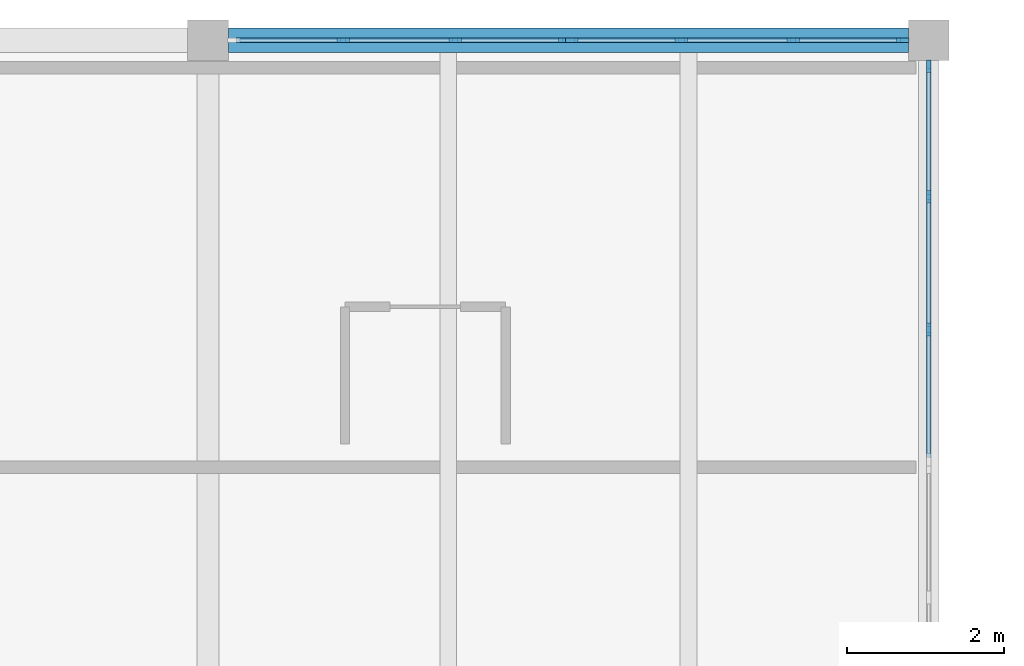
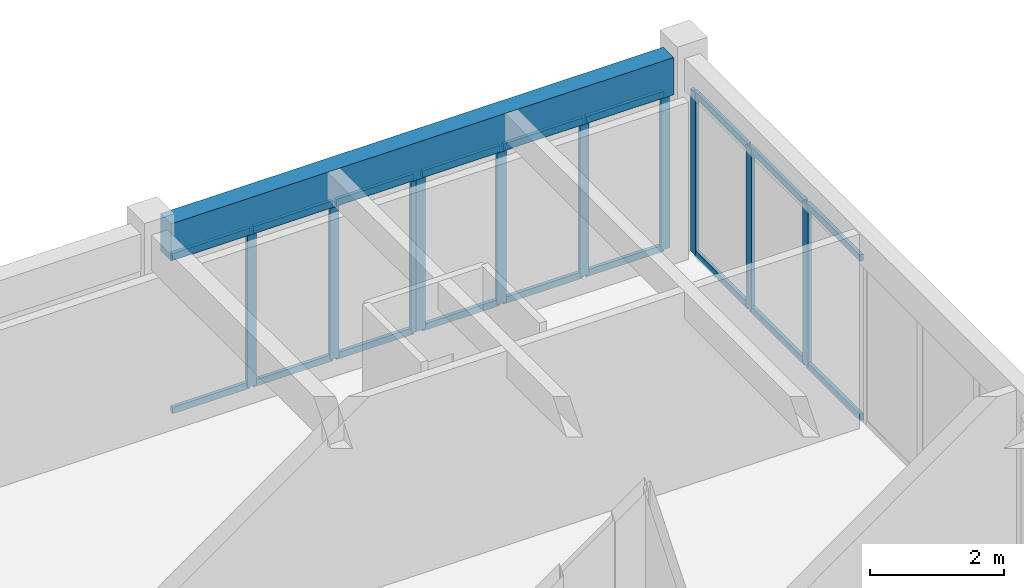
# One storey, part 5 of 22: 28 members, 1 beam, 3 elements without a shape of their own.
"""IFC4 building model written with IfcOpenShell, lengths in metres."""

from ifc_helpers import new_model, si_unit, direction, frame, origin, origin_2d, place, context, subcontext, project, spatial, rectangle, extrude, material, material_profile, profile_set, type_object, element, aggregate, save


model = new_model("IFC4")

# Units and contexts
model_context = context("Model", 3, precision=1e-05, world=origin(), true_north=direction((0.0, 1.0)))
body_context = subcontext(model_context, "Body", "Model", "MODEL_VIEW")
ifc_project = project(units=[si_unit("LENGTHUNIT", "METRE"), si_unit("AREAUNIT", "SQUARE_METRE"), si_unit("VOLUMEUNIT", "CUBIC_METRE"), si_unit("PLANEANGLEUNIT", "RADIAN"), si_unit("MASSUNIT", "GRAM", prefix="KILO")], contexts=[model_context])

# Site, building, storey
site_placement = place(None, origin())
site = spatial("IfcSite", under=ifc_project, at=site_placement, CompositionType="ELEMENT")
building_placement = place(site_placement, origin())
building = spatial("IfcBuilding", under=site, at=building_placement, Name="Veldera Park Congress Hotel", CompositionType="ELEMENT")
storey_placement = place(building_placement, frame((0.0, 0.0, 23.800048828125)))
storey = spatial("IfcBuildingStorey", under=building, at=storey_placement, Name="L05", CompositionType="ELEMENT", Elevation=23.800048828125)

# Beam
ifc_material_1 = material(Name="Glulam GL28h (NDS 24F-V4)", Category="wood")
ifc_material_profile_1 = material_profile(ifc_material_1, rectangle(XDim=0.31494140625, YDim=0.679931640625, at=origin_2d()), Name="GL28h 315x680")
ifc_profile_set_1 = profile_set([ifc_material_profile_1], Name="Glulam GL28h (NDS 24F-V4)")
beam_type = type_object("IfcBeamType", Name="BM-GL640E", PredefinedType="BEAM", material=ifc_profile_set_1)
beam_placement = place(storey_placement, frame((75.06005859375, 58.0, 3.2099609375), z_axis=(1.0, 0.0, 0.0), x_axis=(0.0, 1.0, 0.0)))
element("IfcBeam", 1, at=beam_placement, inside=storey, type_object=beam_type, Name="L05 Girder BM-GL640E 1430", PredefinedType="BEAM", context=body_context, shape_type="SweptSolid", body=[
    extrude(rectangle(XDim=0.31494140625, YDim=0.679931640625, at=origin_2d()), origin(), (0.0, 0.0, 1.0), 8.679931640625),
])

# Curtain wall, members
ifc_material_2 = material(Name="Low-E Triple Insulating Glass Unit (SHGC 0.22)", Category="glass")
curtain_wall_type = type_object("IfcCurtainWallType", Name="CW-HTL", PredefinedType="NOTDEFINED", material=ifc_material_2)
curtain_wall_1_placement = place(storey_placement, origin())
curtain_wall_1 = element("IfcCurtainWall", 2, at=curtain_wall_1_placement, inside=storey, type_object=curtain_wall_type, Name="L05 Curtain Wall CW3-HTLNE-L05-105", PredefinedType="NOTDEFINED")
ifc_material_3 = material(Name="Anodised Aluminium Alloy 6063-T6", Category="aluminium")
ifc_material_profile_2 = material_profile(ifc_material_3, rectangle(XDim=0.06005859375, YDim=0.159912109375, at=origin_2d()), Name="ALU 60x160")
ifc_profile_set_2 = profile_set([ifc_material_profile_2], Name="Anodised Aluminium Alloy 6063-T6")
member_type_1 = type_object("IfcMemberType", Name="CWM-160", PredefinedType="MULLION", material=ifc_profile_set_2)
member_1_placement = place(storey_placement, frame((84.0, 54.31005859375, 0.0), z_axis=(0.0, 0.0, 1.0), x_axis=(-1.0, 0.0, 0.0)))
member_1 = element("IfcMember", 3, at=member_1_placement, type_object=member_type_1, Name="CW-HTL mullion 2", PredefinedType="MULLION", context=body_context, shape_type="SweptSolid", body=[
    extrude(rectangle(XDim=0.06005859375, YDim=0.159912109375, at=origin_2d()), origin(), (0.0, 0.0, 1.0), 2.96484375),
])
member_2_placement = place(storey_placement, frame((84.0, 56.0048828125, 0.0), z_axis=(0.0, 0.0, 1.0), x_axis=(-1.0, 0.0, 0.0)))
member_2 = element("IfcMember", 4, at=member_2_placement, type_object=member_type_1, Name="CW-HTL mullion 3", PredefinedType="MULLION", context=body_context, shape_type="SweptSolid", body=[
    extrude(rectangle(XDim=0.06005859375, YDim=0.159912109375, at=origin_2d()), origin(), (0.0, 0.0, 1.0), 2.96484375),
])
member_3_placement = place(storey_placement, frame((84.0, 57.669921875, 0.0), z_axis=(0.0, 0.0, 1.0), x_axis=(-1.0, 0.0, 0.0)))
member_3 = element("IfcMember", 5, at=member_3_placement, type_object=member_type_1, Name="CW-HTL mullion 4", PredefinedType="MULLION", context=body_context, shape_type="SweptSolid", body=[
    extrude(rectangle(XDim=0.06005859375, YDim=0.159912109375, at=origin_2d()), origin(), (0.0, 0.0, 1.0), 2.96484375),
])

curtain_wall_2_placement = place(storey_placement, origin())
curtain_wall_2 = element("IfcCurtainWall", 6, at=curtain_wall_2_placement, inside=storey, type_object=curtain_wall_type, Name="L05 Curtain Wall CW3-HTLNN-L05-106", PredefinedType="NOTDEFINED")
member_4_placement = place(storey_placement, frame((83.669921875, 58.0, 0.0), z_axis=(0.0, 0.0, 1.0), x_axis=(0.0, -1.0, 0.0)))
member_4 = element("IfcMember", 7, at=member_4_placement, type_object=member_type_1, Name="CW-HTL mullion 1", PredefinedType="MULLION", context=body_context, shape_type="SweptSolid", body=[
    extrude(rectangle(XDim=0.06005859375, YDim=0.159912109375, at=origin_2d()), origin(), (0.0, 0.0, 1.0), 2.864990234375),
])
member_5_placement = place(storey_placement, frame((82.271728515625, 58.0, 0.0), z_axis=(0.0, 0.0, 1.0), x_axis=(0.0, -1.0, 0.0)))
member_5 = element("IfcMember", 8, at=member_5_placement, type_object=member_type_1, Name="CW-HTL mullion 2", PredefinedType="MULLION", context=body_context, shape_type="SweptSolid", body=[
    extrude(rectangle(XDim=0.06005859375, YDim=0.159912109375, at=origin_2d()), origin(), (0.0, 0.0, 1.0), 2.864990234375),
])
member_6_placement = place(storey_placement, frame((80.84326171875, 58.0, 0.0), z_axis=(0.0, 0.0, 1.0), x_axis=(0.0, -1.0, 0.0)))
member_6 = element("IfcMember", 9, at=member_6_placement, type_object=member_type_1, Name="CW-HTL mullion 3", PredefinedType="MULLION", context=body_context, shape_type="SweptSolid", body=[
    extrude(rectangle(XDim=0.06005859375, YDim=0.159912109375, at=origin_2d()), origin(), (0.0, 0.0, 1.0), 2.864990234375),
])
member_7_placement = place(storey_placement, frame((79.445068359375, 58.0, 0.0), z_axis=(0.0, 0.0, 1.0), x_axis=(0.0, -1.0, 0.0)))
member_7 = element("IfcMember", 10, at=member_7_placement, type_object=member_type_1, Name="CW-HTL mullion 4", PredefinedType="MULLION", context=body_context, shape_type="SweptSolid", body=[
    extrude(rectangle(XDim=0.06005859375, YDim=0.159912109375, at=origin_2d()), origin(), (0.0, 0.0, 1.0), 2.864990234375),
])

curtain_wall_3_placement = place(storey_placement, origin())
curtain_wall_3 = element("IfcCurtainWall", 11, at=curtain_wall_3_placement, inside=storey, type_object=curtain_wall_type, Name="L05 Curtain Wall CW3-HTLNN-L05-107", PredefinedType="NOTDEFINED")
member_8_placement = place(storey_placement, frame((79.35498046875, 58.0, 0.0), z_axis=(0.0, 0.0, 1.0), x_axis=(0.0, -1.0, 0.0)))
member_8 = element("IfcMember", 12, at=member_8_placement, type_object=member_type_1, Name="CW-HTL mullion 1", PredefinedType="MULLION", context=body_context, shape_type="SweptSolid", body=[
    extrude(rectangle(XDim=0.06005859375, YDim=0.159912109375, at=origin_2d()), origin(), (0.0, 0.0, 1.0), 2.864990234375),
])
member_9_placement = place(storey_placement, frame((77.956787109375, 58.0, 0.0), z_axis=(0.0, 0.0, 1.0), x_axis=(0.0, -1.0, 0.0)))
member_9 = element("IfcMember", 13, at=member_9_placement, type_object=member_type_1, Name="CW-HTL mullion 2", PredefinedType="MULLION", context=body_context, shape_type="SweptSolid", body=[
    extrude(rectangle(XDim=0.06005859375, YDim=0.159912109375, at=origin_2d()), origin(), (0.0, 0.0, 1.0), 2.864990234375),
])
member_10_placement = place(storey_placement, frame((76.5283203125, 58.0, 0.0), z_axis=(0.0, 0.0, 1.0), x_axis=(0.0, -1.0, 0.0)))
member_10 = element("IfcMember", 14, at=member_10_placement, type_object=member_type_1, Name="CW-HTL mullion 3", PredefinedType="MULLION", context=body_context, shape_type="SweptSolid", body=[
    extrude(rectangle(XDim=0.06005859375, YDim=0.159912109375, at=origin_2d()), origin(), (0.0, 0.0, 1.0), 2.864990234375),
])

# Member
ifc_material_profile_3 = material_profile(ifc_material_3, rectangle(XDim=0.06005859375, YDim=0.1201171875, at=origin_2d()), Name="ALU 60x120")
ifc_profile_set_3 = profile_set([ifc_material_profile_3], Name="Anodised Aluminium Alloy 6063-T6")
member_type_2 = type_object("IfcMemberType", Name="CWT-120", PredefinedType="USERDEFINED", material=ifc_profile_set_3)
member_11_placement = place(storey_placement, frame((84.0, 52.675048828125, 0.030029296875), z_axis=(0.0, 1.0, 0.0), x_axis=(-1.0, 0.0, 0.0)))
member_11 = element("IfcMember", 15, at=member_11_placement, type_object=member_type_2, Name="CW-HTL transom 1.1", ObjectType="TRANSOM", PredefinedType="USERDEFINED", context=body_context, shape_type="SweptSolid", body=[
    extrude(rectangle(XDim=0.06005859375, YDim=0.1201171875, at=origin_2d()), origin(), (0.0, 0.0, 1.0), 1.60498046875),
])

member_12_placement = place(storey_placement, frame((84.0, 52.675048828125, 2.93505859375), z_axis=(0.0, 1.0, 0.0), x_axis=(-1.0, 0.0, 0.0)))
member_12 = element("IfcMember", 16, at=member_12_placement, type_object=member_type_2, Name="CW-HTL transom 1.2", ObjectType="TRANSOM", PredefinedType="USERDEFINED", context=body_context, shape_type="SweptSolid", body=[
    extrude(rectangle(XDim=0.06005859375, YDim=0.1201171875, at=origin_2d()), origin(), (0.0, 0.0, 1.0), 1.60498046875),
])

member_13_placement = place(storey_placement, frame((84.0, 54.340087890625, 0.030029296875), z_axis=(0.0, 1.0, 0.0), x_axis=(-1.0, 0.0, 0.0)))
member_13 = element("IfcMember", 17, at=member_13_placement, type_object=member_type_2, Name="CW-HTL transom 2.1", ObjectType="TRANSOM", PredefinedType="USERDEFINED", context=body_context, shape_type="SweptSolid", body=[
    extrude(rectangle(XDim=0.06005859375, YDim=0.1201171875, at=origin_2d()), origin(), (0.0, 0.0, 1.0), 1.635009765625),
])

member_14_placement = place(storey_placement, frame((84.0, 54.340087890625, 2.93505859375), z_axis=(0.0, 1.0, 0.0), x_axis=(-1.0, 0.0, 0.0)))
member_14 = element("IfcMember", 18, at=member_14_placement, type_object=member_type_2, Name="CW-HTL transom 2.2", ObjectType="TRANSOM", PredefinedType="USERDEFINED", context=body_context, shape_type="SweptSolid", body=[
    extrude(rectangle(XDim=0.06005859375, YDim=0.1201171875, at=origin_2d()), origin(), (0.0, 0.0, 1.0), 1.635009765625),
])

member_15_placement = place(storey_placement, frame((84.0, 56.034912109375, 0.030029296875), z_axis=(0.0, 1.0, 0.0), x_axis=(-1.0, 0.0, 0.0)))
member_15 = element("IfcMember", 19, at=member_15_placement, type_object=member_type_2, Name="CW-HTL transom 3.1", ObjectType="TRANSOM", PredefinedType="USERDEFINED", context=body_context, shape_type="SweptSolid", body=[
    extrude(rectangle(XDim=0.06005859375, YDim=0.1201171875, at=origin_2d()), origin(), (0.0, 0.0, 1.0), 1.60498046875),
])

member_16_placement = place(storey_placement, frame((84.0, 56.034912109375, 2.93505859375), z_axis=(0.0, 1.0, 0.0), x_axis=(-1.0, 0.0, 0.0)))
member_16 = element("IfcMember", 20, at=member_16_placement, type_object=member_type_2, Name="CW-HTL transom 3.2", ObjectType="TRANSOM", PredefinedType="USERDEFINED", context=body_context, shape_type="SweptSolid", body=[
    extrude(rectangle(XDim=0.06005859375, YDim=0.1201171875, at=origin_2d()), origin(), (0.0, 0.0, 1.0), 1.60498046875),
])

aggregate(curtain_wall_1, [member_1, member_2, member_3, member_11, member_12, member_13, member_14, member_15, member_16])

member_17_placement = place(storey_placement, frame((83.639892578125, 58.0, 0.030029296875), z_axis=(-1.0, 0.0, 0.0), x_axis=(0.0, -1.0, 0.0)))
member_17 = element("IfcMember", 21, at=member_17_placement, type_object=member_type_2, Name="CW-HTL transom 1.1", ObjectType="TRANSOM", PredefinedType="USERDEFINED", context=body_context, shape_type="SweptSolid", body=[
    extrude(rectangle(XDim=0.06005859375, YDim=0.1201171875, at=origin_2d()), origin(), (0.0, 0.0, 1.0), 1.338134765625),
])

member_18_placement = place(storey_placement, frame((83.639892578125, 58.0, 2.8349609375), z_axis=(-1.0, 0.0, 0.0), x_axis=(0.0, -1.0, 0.0)))
member_18 = element("IfcMember", 22, at=member_18_placement, type_object=member_type_2, Name="CW-HTL transom 1.2", ObjectType="TRANSOM", PredefinedType="USERDEFINED", context=body_context, shape_type="SweptSolid", body=[
    extrude(rectangle(XDim=0.06005859375, YDim=0.1201171875, at=origin_2d()), origin(), (0.0, 0.0, 1.0), 1.338134765625),
])

member_19_placement = place(storey_placement, frame((82.24169921875, 58.0, 0.030029296875), z_axis=(-1.0, 0.0, 0.0), x_axis=(0.0, -1.0, 0.0)))
member_19 = element("IfcMember", 23, at=member_19_placement, type_object=member_type_2, Name="CW-HTL transom 2.1", ObjectType="TRANSOM", PredefinedType="USERDEFINED", context=body_context, shape_type="SweptSolid", body=[
    extrude(rectangle(XDim=0.06005859375, YDim=0.1201171875, at=origin_2d()), origin(), (0.0, 0.0, 1.0), 1.368408203125),
])

member_20_placement = place(storey_placement, frame((82.24169921875, 58.0, 2.8349609375), z_axis=(-1.0, 0.0, 0.0), x_axis=(0.0, -1.0, 0.0)))
member_20 = element("IfcMember", 24, at=member_20_placement, type_object=member_type_2, Name="CW-HTL transom 2.2", ObjectType="TRANSOM", PredefinedType="USERDEFINED", context=body_context, shape_type="SweptSolid", body=[
    extrude(rectangle(XDim=0.06005859375, YDim=0.1201171875, at=origin_2d()), origin(), (0.0, 0.0, 1.0), 1.368408203125),
])

member_21_placement = place(storey_placement, frame((80.813232421875, 58.0, 0.030029296875), z_axis=(-1.0, 0.0, 0.0), x_axis=(0.0, -1.0, 0.0)))
member_21 = element("IfcMember", 25, at=member_21_placement, type_object=member_type_2, Name="CW-HTL transom 3.1", ObjectType="TRANSOM", PredefinedType="USERDEFINED", context=body_context, shape_type="SweptSolid", body=[
    extrude(rectangle(XDim=0.06005859375, YDim=0.1201171875, at=origin_2d()), origin(), (0.0, 0.0, 1.0), 1.338134765625),
])

member_22_placement = place(storey_placement, frame((80.813232421875, 58.0, 2.8349609375), z_axis=(-1.0, 0.0, 0.0), x_axis=(0.0, -1.0, 0.0)))
member_22 = element("IfcMember", 26, at=member_22_placement, type_object=member_type_2, Name="CW-HTL transom 3.2", ObjectType="TRANSOM", PredefinedType="USERDEFINED", context=body_context, shape_type="SweptSolid", body=[
    extrude(rectangle(XDim=0.06005859375, YDim=0.1201171875, at=origin_2d()), origin(), (0.0, 0.0, 1.0), 1.338134765625),
])

aggregate(curtain_wall_2, [member_4, member_5, member_6, member_7, member_17, member_18, member_19, member_20, member_21, member_22])

member_23_placement = place(storey_placement, frame((79.324951171875, 58.0, 0.030029296875), z_axis=(-1.0, 0.0, 0.0), x_axis=(0.0, -1.0, 0.0)))
member_23 = element("IfcMember", 27, at=member_23_placement, type_object=member_type_2, Name="CW-HTL transom 1.1", ObjectType="TRANSOM", PredefinedType="USERDEFINED", context=body_context, shape_type="SweptSolid", body=[
    extrude(rectangle(XDim=0.06005859375, YDim=0.1201171875, at=origin_2d()), origin(), (0.0, 0.0, 1.0), 1.33837890625),
])

member_24_placement = place(storey_placement, frame((79.324951171875, 58.0, 2.8349609375), z_axis=(-1.0, 0.0, 0.0), x_axis=(0.0, -1.0, 0.0)))
member_24 = element("IfcMember", 28, at=member_24_placement, type_object=member_type_2, Name="CW-HTL transom 1.2", ObjectType="TRANSOM", PredefinedType="USERDEFINED", context=body_context, shape_type="SweptSolid", body=[
    extrude(rectangle(XDim=0.06005859375, YDim=0.1201171875, at=origin_2d()), origin(), (0.0, 0.0, 1.0), 1.33837890625),
])

member_25_placement = place(storey_placement, frame((77.9267578125, 58.0, 0.030029296875), z_axis=(-1.0, 0.0, 0.0), x_axis=(0.0, -1.0, 0.0)))
member_25 = element("IfcMember", 29, at=member_25_placement, type_object=member_type_2, Name="CW-HTL transom 2.1", ObjectType="TRANSOM", PredefinedType="USERDEFINED", context=body_context, shape_type="SweptSolid", body=[
    extrude(rectangle(XDim=0.06005859375, YDim=0.1201171875, at=origin_2d()), origin(), (0.0, 0.0, 1.0), 1.368408203125),
])

member_26_placement = place(storey_placement, frame((77.9267578125, 58.0, 2.8349609375), z_axis=(-1.0, 0.0, 0.0), x_axis=(0.0, -1.0, 0.0)))
member_26 = element("IfcMember", 30, at=member_26_placement, type_object=member_type_2, Name="CW-HTL transom 2.2", ObjectType="TRANSOM", PredefinedType="USERDEFINED", context=body_context, shape_type="SweptSolid", body=[
    extrude(rectangle(XDim=0.06005859375, YDim=0.1201171875, at=origin_2d()), origin(), (0.0, 0.0, 1.0), 1.368408203125),
])

member_27_placement = place(storey_placement, frame((76.498291015625, 58.0, 0.030029296875), z_axis=(-1.0, 0.0, 0.0), x_axis=(0.0, -1.0, 0.0)))
member_27 = element("IfcMember", 31, at=member_27_placement, type_object=member_type_2, Name="CW-HTL transom 3.1", ObjectType="TRANSOM", PredefinedType="USERDEFINED", context=body_context, shape_type="SweptSolid", body=[
    extrude(rectangle(XDim=0.06005859375, YDim=0.1201171875, at=origin_2d()), origin(), (0.0, 0.0, 1.0), 1.33837890625),
])

member_28_placement = place(storey_placement, frame((76.498291015625, 58.0, 2.8349609375), z_axis=(-1.0, 0.0, 0.0), x_axis=(0.0, -1.0, 0.0)))
member_28 = element("IfcMember", 32, at=member_28_placement, type_object=member_type_2, Name="CW-HTL transom 3.2", ObjectType="TRANSOM", PredefinedType="USERDEFINED", context=body_context, shape_type="SweptSolid", body=[
    extrude(rectangle(XDim=0.06005859375, YDim=0.1201171875, at=origin_2d()), origin(), (0.0, 0.0, 1.0), 1.33837890625),
])

aggregate(curtain_wall_3, [member_8, member_9, member_10, member_23, member_24, member_25, member_26, member_27, member_28])

save(model, "model.ifc")
